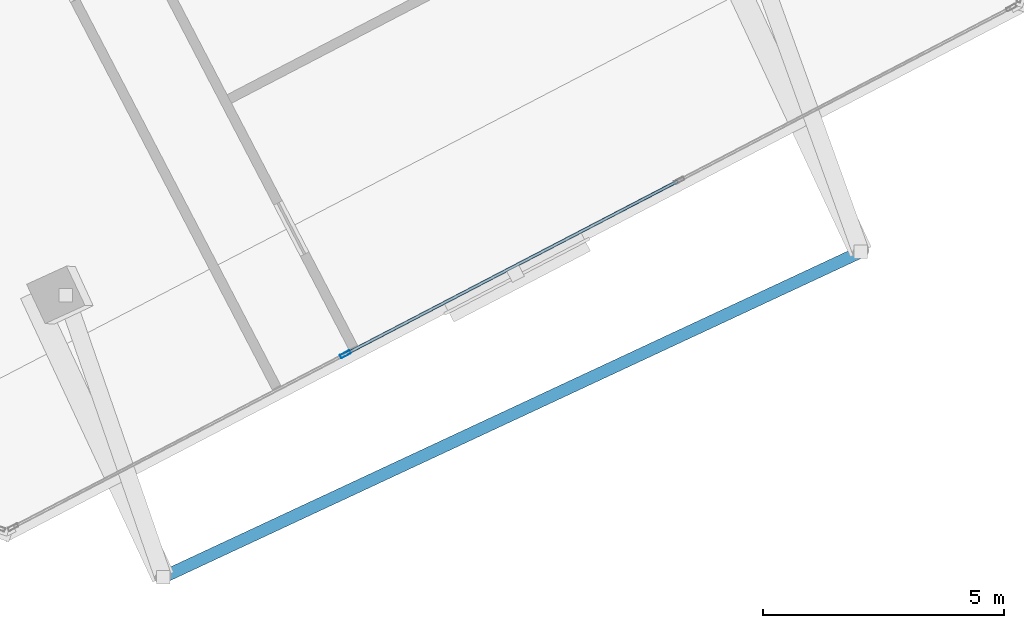
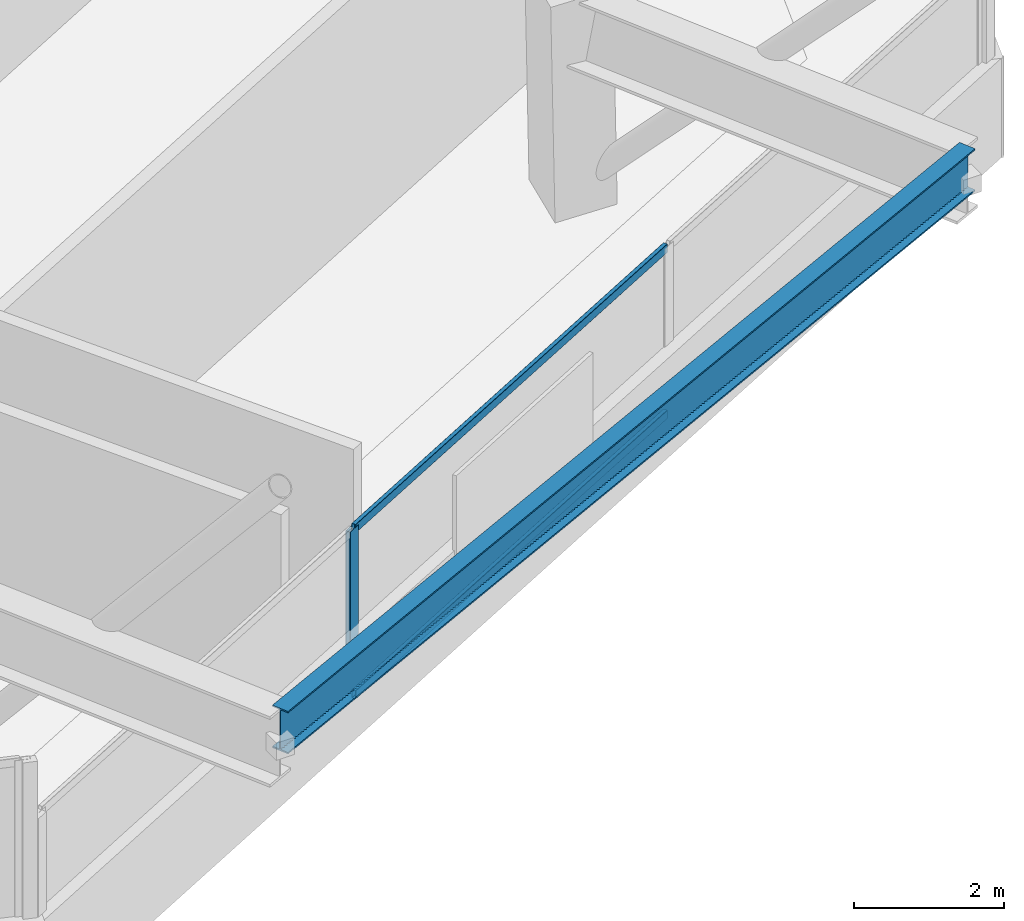
# One storey, part 4 of 16: 3 members, 1 beam, 1 element without a shape of its own.
"""IFC4 building model written with IfcOpenShell, lengths in metres."""

from ifc_helpers import new_model, si_unit, direction, frame, origin, origin_2d, place, context, subcontext, project, spatial, hollow_rectangle, i_section, extrude, source, transform, mapped, material, material_profile, profile_set, type_object, element, aggregate, save


model = new_model("IFC4")

# Units and contexts
model_context = context("Model", 3, precision=1e-05, world=origin(), true_north=direction((0.0, 1.0)))
body_context = subcontext(model_context, "Body", "Model", "MODEL_VIEW")
ifc_project = project(units=[si_unit("LENGTHUNIT", "METRE"), si_unit("AREAUNIT", "SQUARE_METRE"), si_unit("VOLUMEUNIT", "CUBIC_METRE"), si_unit("PLANEANGLEUNIT", "RADIAN"), si_unit("MASSUNIT", "GRAM", prefix="KILO")], contexts=[model_context])

# Site, building, storey
site_placement = place(None, origin())
site = spatial("IfcSite", under=ifc_project, at=site_placement, CompositionType="ELEMENT")
building_placement = place(site_placement, origin())
building = spatial("IfcBuilding", under=site, at=building_placement, Name="Torre Montelarca", CompositionType="ELEMENT")
storey_placement = place(building_placement, frame((0.0, 0.0, 336.60009765625)))
storey = spatial("IfcBuildingStorey", under=building, at=storey_placement, Name="L76", CompositionType="ELEMENT", Elevation=336.60009765625)

# Beam
ifc_material_1 = material(Name="Steel ASTM A992 Grade 50", Category="steel")
ifc_material_profile_1 = material_profile(ifc_material_1, i_section(OverallWidth=0.256103515625, OverallDepth=0.693115234375, WebThickness=0.014404296875, FlangeThickness=0.023681640625, FilletRadius=0.01806640625, at=origin_2d()), Name="W690X170", Category="steel")
ifc_profile_set_1 = profile_set([ifc_material_profile_1], Name="Steel ASTM A992 Grade 50")
beam_type = type_object("IfcBeamType", Name="BM-G-W690-EXT", PredefinedType="BEAM", material=ifc_profile_set_1)
shared_shape_1 = source(origin(), body_context, "Body", "SweptSolid", [
    extrude(i_section(OverallWidth=0.256103515625, OverallDepth=0.693115234375, WebThickness=0.014404296875, FlangeThickness=0.023681640625, FilletRadius=0.01806640625, at=origin_2d()), origin(), (0.0, 0.0, 1.0), 16.0),
])
beam_placement = place(storey_placement, frame((23.12451171875, 9.586669921875, 3.614013671875), z_axis=(0.906312519031, 0.422608113797, 0.0), x_axis=(-0.422608113797, 0.906312519031, 0.0)))
element("IfcBeam", 1, at=beam_placement, inside=storey, type_object=beam_type, Name="L76 Sliding Tray Edge Girder East 24-40m (FLR)", PredefinedType="BEAM", context=body_context, shape_type="MappedRepresentation", body=[
    mapped(shared_shape_1, transform((0.0, 0.0, 0.0), scale=1.0)),
])

# Curtain wall, members
ifc_material_2 = material(Name="Insulated low-E laminated glass", Category="glass")
curtain_wall_type = type_object("IfcCurtainWallType", Name="CW-SYS-Z4", PredefinedType="USERDEFINED", material=ifc_material_2)
curtain_wall_placement = place(storey_placement, origin())
curtain_wall = element("IfcCurtainWall", 2, at=curtain_wall_placement, inside=storey, type_object=curtain_wall_type, Name="L76 Curtain Wall Run CW-T3-L76-E06-B1", ObjectType="UNITISED GLAZING", PredefinedType="USERDEFINED")
ifc_material_3 = material(Name="Anodised aluminium AA 6063-T6", Category="aluminium")
ifc_material_profile_2 = material_profile(ifc_material_3, hollow_rectangle(XDim=0.074951171875, YDim=0.219970703125, WallThickness=0.0048828125, InnerFilletRadius=0.0048828125, OuterFilletRadius=0.010009765625, at=origin_2d()), Name="ALU75X220X5", Category="aluminium")
ifc_profile_set_2 = profile_set([ifc_material_profile_2], Name="Anodised aluminium AA 6063-T6")
member_type_1 = type_object("IfcMemberType", Name="CWM-ALU220", PredefinedType="MULLION", material=ifc_profile_set_2)
shared_shape_2 = source(origin(), body_context, "Body", "SweptSolid", [
    extrude(hollow_rectangle(XDim=0.074951171875, YDim=0.219970703125, WallThickness=0.0048828125, InnerFilletRadius=0.0048828125, OuterFilletRadius=0.010009765625, at=origin_2d()), origin(), (0.0, 0.0, 1.0), 2.77490234375),
])
member_1_placement = place(storey_placement, frame((26.91015625, 14.21923828125, 0.0), z_axis=(0.0, 0.0, 1.0), x_axis=(-0.461745658928, 0.887012371087, 0.0)))
member_1 = element("IfcMember", 3, at=member_1_placement, type_object=member_type_1, Name="CW mullion 2", PredefinedType="MULLION", context=body_context, shape_type="MappedRepresentation", body=[
    mapped(shared_shape_2, transform((0.0, 0.0, 0.0), scale=1.0)),
])
ifc_material_profile_3 = material_profile(ifc_material_3, hollow_rectangle(XDim=0.06494140625, YDim=0.139892578125, WallThickness=0.00390625, InnerFilletRadius=0.00390625, OuterFilletRadius=0.008056640625, at=origin_2d()), Name="ALU65X140X4", Category="aluminium")
ifc_profile_set_3 = profile_set([ifc_material_profile_3], Name="Anodised aluminium AA 6063-T6")
member_type_2 = type_object("IfcMemberType", Name="CWT-ALU140", PredefinedType="USERDEFINED", material=ifc_profile_set_3)
shared_shape_3 = source(origin(), body_context, "Body", "SweptSolid", [
    extrude(hollow_rectangle(XDim=0.06494140625, YDim=0.139892578125, WallThickness=0.00390625, InnerFilletRadius=0.00390625, OuterFilletRadius=0.008056640625, at=origin_2d()), origin(), (0.0, 0.0, 1.0), 7.748046875),
])
member_2_placement = place(storey_placement, frame((26.943359375, 14.236328125, 0.032470703125), z_axis=(0.887010348862, 0.461749543596, 0.0), x_axis=(-0.461749543596, 0.887010348862, 0.0)))
member_2 = element("IfcMember", 4, at=member_2_placement, type_object=member_type_2, Name="CW transom 2.1", ObjectType="TRANSOM", PredefinedType="USERDEFINED", context=body_context, shape_type="MappedRepresentation", body=[
    mapped(shared_shape_3, transform((0.0, 0.0, 0.0), scale=1.0)),
])
member_3_placement = place(storey_placement, frame((26.943359375, 14.236328125, 2.742431640625), z_axis=(0.887010348862, 0.461749543596, 0.0), x_axis=(-0.461749543596, 0.887010348862, 0.0)))
member_3 = element("IfcMember", 5, at=member_3_placement, type_object=member_type_2, Name="CW transom 2.2", ObjectType="TRANSOM", PredefinedType="USERDEFINED", context=body_context, shape_type="MappedRepresentation", body=[
    mapped(shared_shape_3, transform((0.0, 0.0, 0.0), scale=1.0)),
])
aggregate(curtain_wall, [member_1, member_2, member_3])

save(model, "model.ifc")
